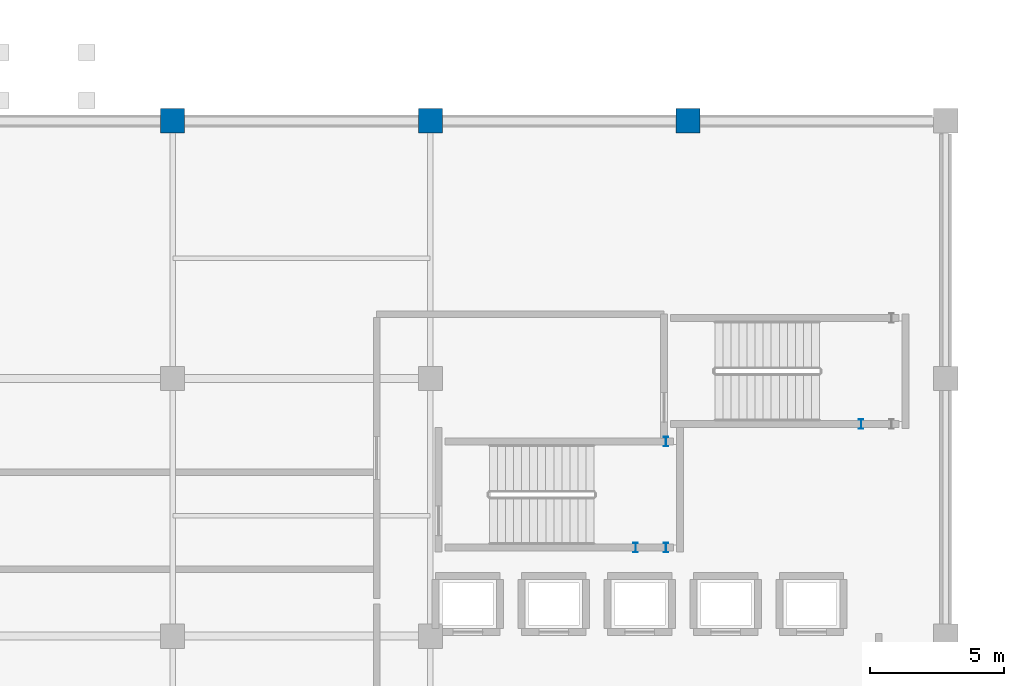
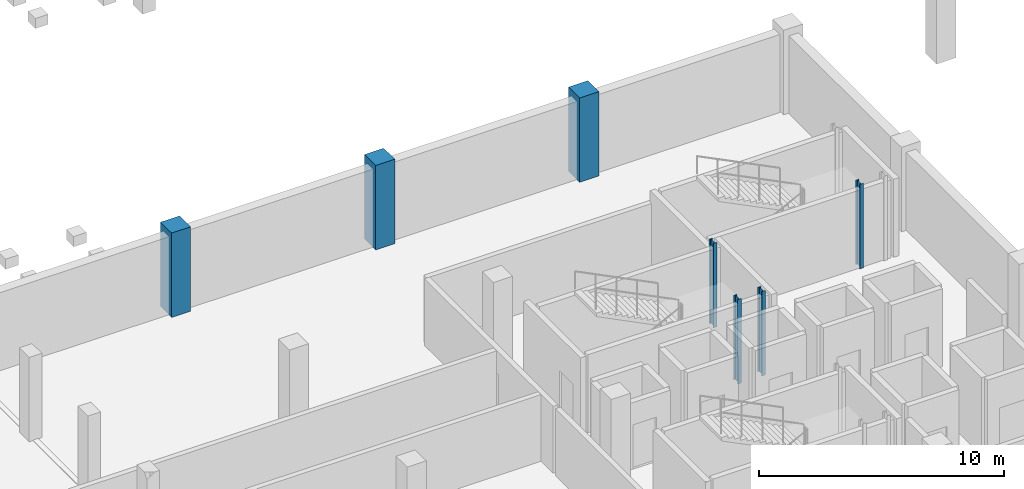
# One storey, part 19 of 47: 7 columns.
"""IFC4 building model written with IfcOpenShell, lengths in metres."""

import ifcopenshell
import ifcopenshell.guid

model = None  # the IFC model being written
_history = None  # IfcOwnerHistory: only IFC2X3 demands one
_inside = {}  # id of a spatial element -> (the spatial element, [elements in it])
_under = {}  # id of a project, library or spatial element -> (it, [spatial elements below it])
_declared = {}  # id of a project -> (the project, [libraries it declares])
_typed = {}  # id of a type object -> (the type object, [elements of that type])
_made_of = {}  # id of a material, layer set ... -> (it, [elements and type objects made of it])


def new_model(schema):
    """Start an empty IFC model of exactly this schema.

    Asked for "IFC4X3", IfcOpenShell would pick the latest addendum, in which some entities
    have other attributes; the version numbers below select the first issue.
    IFC2X3 requires an IfcOwnerHistory on every rooted entity: one is made here for all.
    """
    global model, _history
    if schema == "IFC4X3":
        model = ifcopenshell.file(schema_version=(4, 3, 0, 0))
    else:
        model = ifcopenshell.file(schema=schema)
    _inside.clear()
    _under.clear()
    _declared.clear()
    _typed.clear()
    _made_of.clear()
    _history = None
    if model.schema == "IFC2X3":
        org = make("IfcOrganization", Name="unknown")
        user = make(
            "IfcPersonAndOrganization",
            ThePerson=make("IfcPerson", FamilyName="unknown"),
            TheOrganization=org,
        )
        app = make(
            "IfcApplication",
            ApplicationDeveloper=org,
            Version="unknown",
            ApplicationFullName="unknown",
            ApplicationIdentifier="unknown",
        )
        _history = make(
            "IfcOwnerHistory",
            OwningUser=user,
            OwningApplication=app,
            ChangeAction="ADDED",
            CreationDate=0,
        )
    return model


def make(cls, **values):
    """One entity of the class cls with the attributes given. An attribute that is None is left unset."""
    return model.create_entity(
        cls, **{name: value for name, value in values.items() if value is not None}
    )


def rooted(cls, **values):
    """An entity with a GlobalId (a new one), such as an element, a storey or a relation."""
    return make(cls, GlobalId=ifcopenshell.guid.new(), OwnerHistory=_history, **values)


def si_unit(unit_type, name, prefix=None):
    """IfcSIUnit, for example si_unit("LENGTHUNIT", "METRE", prefix="MILLI")."""
    return make("IfcSIUnit", UnitType=unit_type, Prefix=prefix, Name=name)


def assignment(units):
    """IfcUnitAssignment: the units of a project."""
    return None if units is None else make("IfcUnitAssignment", Units=units)


def point(xyz):
    """IfcCartesianPoint."""
    return None if xyz is None else make("IfcCartesianPoint", Coordinates=xyz)


def direction(xyz):
    """IfcDirection."""
    return None if xyz is None else make("IfcDirection", DirectionRatios=xyz)


def frame(location, z_axis=None, x_axis=None):
    """IfcAxis2Placement3D, a coordinate frame: its origin and axes. An axis left out is left unset."""
    return make(
        "IfcAxis2Placement3D",
        Location=point(location),
        Axis=direction(z_axis),
        RefDirection=direction(x_axis),
    )


def frame_2d(location, x_axis=None):
    """IfcAxis2Placement2D, a coordinate frame in the plane: its origin and x axis."""
    return make(
        "IfcAxis2Placement2D", Location=point(location), RefDirection=direction(x_axis)
    )


def origin():
    """The frame at (0, 0, 0) with its axes left unset."""
    return frame((0.0, 0.0, 0.0))


def origin_2d():
    """The frame at (0, 0) in the plane with its x axis left unset."""
    return frame_2d((0.0, 0.0))


def place(relative_to, where):
    """IfcLocalPlacement: puts the frame where relative to a parent placement (None: the world)."""
    return make(
        "IfcLocalPlacement", PlacementRelTo=relative_to, RelativePlacement=where
    )


def context(
    kind, dimensions, precision=None, world=None, true_north=None, identifier=None
):
    """IfcGeometricRepresentationContext, for example the 3D "Model" context."""
    return make(
        "IfcGeometricRepresentationContext",
        ContextIdentifier=identifier,
        ContextType=kind,
        CoordinateSpaceDimension=dimensions,
        Precision=precision,
        WorldCoordinateSystem=world,
        TrueNorth=true_north,
    )


def subcontext(parent, identifier, kind, view, scale=None):
    """IfcGeometricRepresentationSubContext, for example "Body" below "Model"."""
    return make(
        "IfcGeometricRepresentationSubContext",
        ContextIdentifier=identifier,
        ContextType=kind,
        ParentContext=parent,
        TargetScale=scale,
        TargetView=view,
    )


def project(units=None, contexts=None):
    """IfcProject with its units and contexts."""
    return rooted(
        "IfcProject",
        Name="project",
        RepresentationContexts=contexts,
        UnitsInContext=assignment(units),
    )


def spatial(cls, under=None, at=None, **own):
    """A site, building, storey or space (cls), placed at a placement, below another one or the project."""
    s = rooted(cls, ObjectPlacement=at, **own)
    if under is not None:
        _under.setdefault(under.id(), (under, []))[1].append(s)
    return s


def profile(cls, at=None, kind="AREA", **sizes):
    """A parametric profile (cls). Its sizes go by their IFC names, for example OverallWidth=200.0."""
    return make(cls, ProfileType=kind, Position=at, **sizes)


def rectangle(**sizes):
    """IfcRectangleProfileDef."""
    return profile("IfcRectangleProfileDef", **sizes)


def i_section(**sizes):
    """IfcIShapeProfileDef."""
    return profile("IfcIShapeProfileDef", **sizes)


def extrude(swept, where, along, depth):
    """IfcExtrudedAreaSolid: the profile swept, set in the frame where, extruded along a direction by depth."""
    return make(
        "IfcExtrudedAreaSolid",
        SweptArea=swept,
        Position=where,
        ExtrudedDirection=direction(along),
        Depth=depth,
    )


def shape(context_of_items, identifier, shape_type, items):
    """IfcShapeRepresentation: the items that make up one representation, for example the "Body"."""
    return make(
        "IfcShapeRepresentation",
        ContextOfItems=context_of_items,
        RepresentationIdentifier=identifier,
        RepresentationType=shape_type,
        Items=items,
    )


def material(Name=None, Category=None):
    """IfcMaterial."""
    return make("IfcMaterial", Name=Name, Category=Category)


def material_profile(
    of_material, cross_section, Name=None, Category=None, Priority=None
):
    """IfcMaterialProfile: a cross section and its material."""
    return make(
        "IfcMaterialProfile",
        Name=Name,
        Material=of_material,
        Profile=cross_section,
        Priority=Priority,
        Category=Category,
    )


def profile_set(profiles, Name=None, composite=None):
    """IfcMaterialProfileSet."""
    return make(
        "IfcMaterialProfileSet",
        Name=Name,
        MaterialProfiles=profiles,
        CompositeProfile=composite,
    )


def made_of(thing, what):
    """Note that an element or type object is made of a material, layer set ...; save() writes the relation."""
    if what is not None:
        _made_of.setdefault(what.id(), (what, []))[1].append(thing)
    return thing


def type_object(cls, material=None, **own):
    """A type object (cls), such as IfcWallType, which elements share."""
    return made_of(rooted(cls, **own), material)


def element(
    cls,
    number,
    at=None,
    inside=None,
    cuts=None,
    type_object=None,
    material=None,
    context=None,
    identifier="Body",
    shape_type=None,
    held_by="IfcProductDefinitionShape",
    body=None,
    shapes=None,
    **own,
):
    """One element of the class cls, such as IfcWall. Its Tag is "e" and its number.

    at: its placement. inside: the storey or other place that contains it. cuts: it is an
    opening in that element (IfcRelVoidsElement). A single representation is given by context,
    identifier, shape_type and body (its items); several are given by shapes. held_by: the class
    of the entity that holds the representations. save() writes the other relations.
    """
    e = rooted(cls, Tag="e%d" % number, ObjectPlacement=at, **own)
    if body is not None:
        shapes = [shape(context, identifier, shape_type, body)]
    if shapes is not None:
        e.Representation = make(held_by, Representations=shapes)
    if inside is not None:
        _inside.setdefault(inside.id(), (inside, []))[1].append(e)
    if cuts is not None:
        rooted(
            "IfcRelVoidsElement", RelatingBuildingElement=cuts, RelatedOpeningElement=e
        )
    if type_object is not None:
        _typed.setdefault(type_object.id(), (type_object, []))[1].append(e)
    return made_of(e, material)


def aggregate(whole, parts):
    """IfcRelAggregates: a whole, such as a stair, and the parts it consists of."""
    return rooted("IfcRelAggregates", RelatingObject=whole, RelatedObjects=parts)


def save(model, path):
    """Write the relations noted so far, then the file.

    IfcRelAggregates (storeys below a building ...), IfcRelContainedInSpatialStructure (elements
    in a storey), IfcRelDefinesByType, IfcRelAssociatesMaterial and IfcRelDeclares: one each for
    every whole, place, type object, material and project.
    """
    for whole, parts in _under.values():
        aggregate(whole, parts)
    for where, things in _inside.values():
        rooted(
            "IfcRelContainedInSpatialStructure",
            RelatedElements=things,
            RelatingStructure=where,
        )
    for kind, things in _typed.values():
        rooted("IfcRelDefinesByType", RelatedObjects=things, RelatingType=kind)
    for what, things in _made_of.values():
        rooted("IfcRelAssociatesMaterial", RelatedObjects=things, RelatingMaterial=what)
    for by, libraries in _declared.values():
        rooted("IfcRelDeclares", RelatingContext=by, RelatedDefinitions=libraries)
    model.write(path)


model = new_model("IFC4")

# Units and contexts
model_context = context("Model", 3, precision=1e-05, world=origin(), true_north=direction((0.0, 1.0)))
body_context = subcontext(model_context, "Body", "Model", "MODEL_VIEW")
ifc_project = project(units=[si_unit("LENGTHUNIT", "METRE"), si_unit("AREAUNIT", "SQUARE_METRE"), si_unit("VOLUMEUNIT", "CUBIC_METRE"), si_unit("PLANEANGLEUNIT", "RADIAN"), si_unit("MASSUNIT", "GRAM", prefix="KILO")], contexts=[model_context])

# Site, building, storey
site_placement = place(None, origin())
site = spatial("IfcSite", under=ifc_project, at=site_placement, CompositionType="ELEMENT")
building_placement = place(site_placement, origin())
building = spatial("IfcBuilding", under=site, at=building_placement, Name="Zevrakil Square Congress Hotel", CompositionType="ELEMENT")
storey_placement = place(building_placement, frame((0.0, 0.0, -4.199951171875)))
storey = spatial("IfcBuildingStorey", under=building, at=storey_placement, Name="B1", CompositionType="ELEMENT", Elevation=-4.199951171875)

# Columns
ifc_material_1 = material(Name="Steel S355", Category="steel")
ifc_material_profile_1 = material_profile(ifc_material_1, i_section(OverallWidth=0.169921875, OverallDepth=0.360107421875, WebThickness=0.008056640625, FlangeThickness=0.0126953125, FilletRadius=0.01806640625, at=origin_2d()), Name="IPE 360")
ifc_profile_set_1 = profile_set([ifc_material_profile_1], Name="Steel S355")
column_type_1 = type_object("IfcColumnType", Name="COL-PILASTER-SHS180", PredefinedType="PILASTER", material=ifc_profile_set_1)
for number, where, z_axis, x_axis, name in (
    (1, (144.449951171875, 29.699951171875, 0.0), (0.0, 0.0, 1.0), (1.0, 0.0, 0.0), "B1 ST02 stair shaft post 1"),
    (2, (145.580078125, 29.699951171875, 0.0), (0.0, 0.0, 1.0), (1.0, 0.0, 0.0), "B1 ST02 stair shaft post 2"),
    (3, (145.580078125, 33.64990234375, 0.0), (0.0, 0.0, 1.0), (1.0, 0.0, 0.0), "B1 ST02 stair shaft post 3"),
    (4, (152.85009765625, 34.300048828125, 0.0), (0.0, 0.0, 1.0), (1.0, 0.0, 0.0), "B1 ST03 stair shaft post 1"),
):
    element("IfcColumn", number, at=place(storey_placement, frame(where, z_axis=z_axis, x_axis=x_axis)), inside=storey, type_object=column_type_1, Name=name, PredefinedType="PILASTER", context=body_context, shape_type="SweptSolid", body=[
        extrude(i_section(OverallWidth=0.169921875, OverallDepth=0.360107421875, WebThickness=0.008056640625, FlangeThickness=0.0126953125, FilletRadius=0.01806640625, at=origin_2d()), origin(), (0.0, 0.0, 1.0), 4.199951171875),
    ])
ifc_material_2 = material(Name="Concrete C40/50", Category="concrete")
ifc_material_profile_2 = material_profile(ifc_material_2, rectangle(XDim=0.89990234375, YDim=0.89990234375, at=origin_2d()), Name="RC 900x900")
ifc_profile_set_2 = profile_set([ifc_material_profile_2], Name="Concrete C40/50")
column_type_2 = type_object("IfcColumnType", Name="COL-RC900", PredefinedType="COLUMN", material=ifc_profile_set_2)
for number, where, z_axis, x_axis, name in (
    (5, (127.199951171875, 45.60009765625, 0.0), (0.0, 0.0, 1.0), (1.0, 0.0, 0.0), "B1 column C-200"),
    (6, (136.800048828125, 45.60009765625, 0.0), (0.0, 0.0, 1.0), (1.0, 0.0, 0.0), "B1 column C-209"),
    (7, (146.39990234375, 45.60009765625, 0.0), (0.0, 0.0, 1.0), (1.0, 0.0, 0.0), "B1 column C-216"),
):
    element("IfcColumn", number, at=place(storey_placement, frame(where, z_axis=z_axis, x_axis=x_axis)), inside=storey, type_object=column_type_2, Name=name, PredefinedType="COLUMN", context=body_context, shape_type="SweptSolid", body=[
        extrude(rectangle(XDim=0.89990234375, YDim=0.89990234375, at=origin_2d()), origin(), (0.0, 0.0, 1.0), 4.199951171875),
    ])

save(model, "model.ifc")
